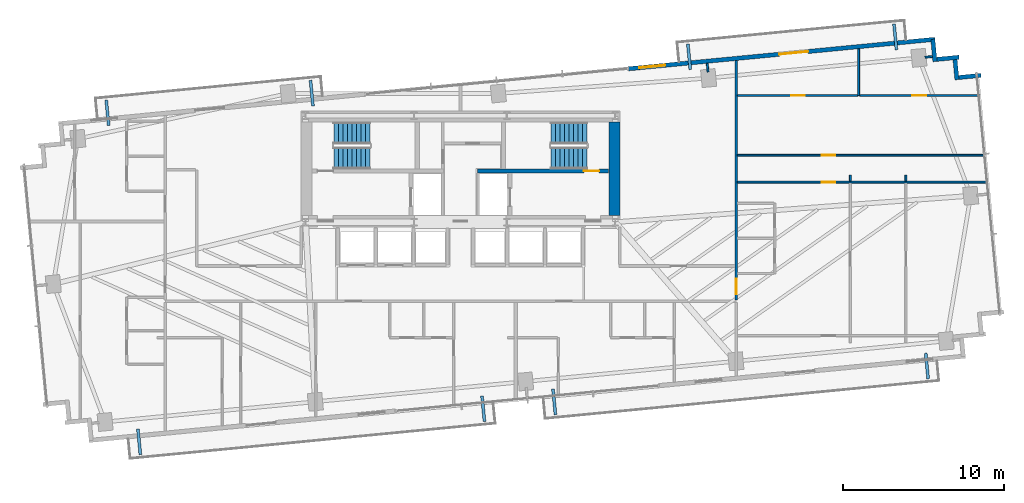
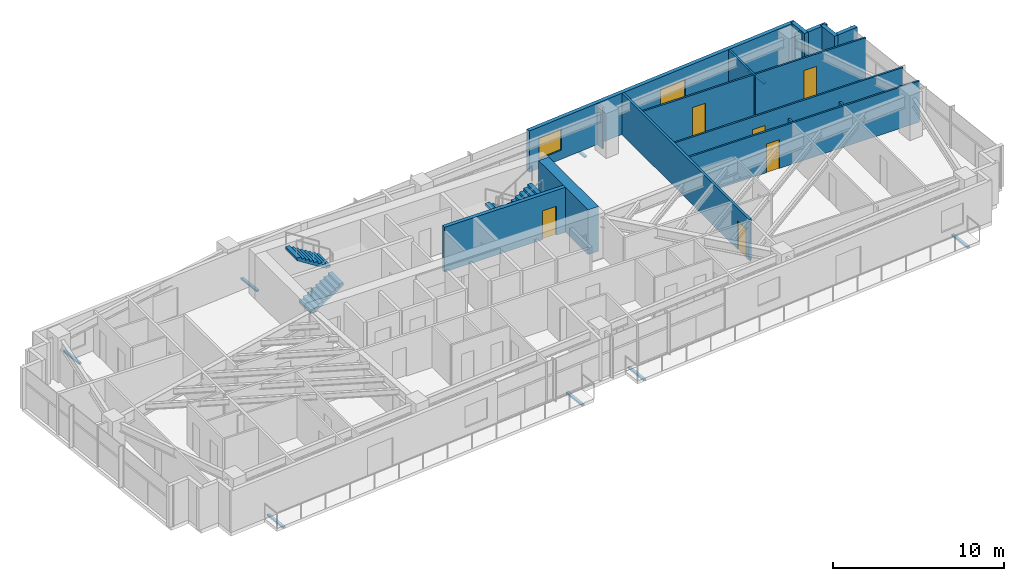
# One storey, part 24 of 27: 17 walls, 8 discrete accessories, 7 doors, 4 stair flights, 1 window, 8 openings, 2 elements without a shape of their own.
"""IFC4 building model written with IfcOpenShell, lengths in metres."""

from ifc_helpers import new_model, si_unit, direction, frame, frame_2d, origin, origin_2d, place, context, subcontext, project, spatial, polyline, rectangle, outline, extrude, source, transform, mapped, material, layer, layer_set, type_object, type_shapes, element, fill, aggregate, save


model = new_model("IFC4")

# Units and contexts
model_context = context("Model", 3, precision=1e-05, world=origin(), true_north=direction((0.0, 1.0)))
body_context = subcontext(model_context, "Body", "Model", "MODEL_VIEW")
ifc_project = project(units=[si_unit("LENGTHUNIT", "METRE"), si_unit("AREAUNIT", "SQUARE_METRE"), si_unit("VOLUMEUNIT", "CUBIC_METRE"), si_unit("PLANEANGLEUNIT", "RADIAN"), si_unit("MASSUNIT", "GRAM", prefix="KILO")], contexts=[model_context])

# Site, building, storey
site_placement = place(None, origin())
site = spatial("IfcSite", under=ifc_project, at=site_placement, CompositionType="ELEMENT")
building_placement = place(site_placement, origin())
building = spatial("IfcBuilding", under=site, at=building_placement, Name="Astriad Promenade Condominiums", CompositionType="ELEMENT")
storey_placement = place(building_placement, frame((0.0, 0.0, 90.60009765625)))
storey = spatial("IfcBuildingStorey", under=building, at=storey_placement, Name="L25", CompositionType="ELEMENT", Elevation=90.60009765625)

# Wall
ifc_material_1 = material(Name="Concrete C60/75", Category="concrete")
ifc_layer_1 = layer(ifc_material_1, 0.699951171875)
ifc_layer_set_1 = layer_set([ifc_layer_1], Name="Concrete C60/75")
wall_type_1 = type_object("IfcWallType", Name="CW-SHEAR-700", PredefinedType="SHEAR", material=ifc_layer_set_1)
wall_1_placement = place(storey_placement, frame((45.550048828125, 17.802001953125, 0.0), z_axis=(0.0, 0.0, 1.0), x_axis=(0.0, 1.0, 0.0)))
element("IfcWall", 1, at=wall_1_placement, inside=storey, type_object=wall_type_1, Name="CW-CORE-E-L25", PredefinedType="SHEAR", context=body_context, shape_type="SweptSolid", body=[
    extrude(rectangle(XDim=5.7958984375, YDim=0.699951171875, at=frame_2d((2.89794921875, 0.0))), origin(), (0.0, 0.0, 1.0), 3.199951171875),
])

# Wall, opening, door
ifc_material_2 = material(Name="Concrete C50/60", Category="concrete")
ifc_layer_2 = layer(ifc_material_2, 0.25)
ifc_layer_set_2 = layer_set([ifc_layer_2], Name="Concrete C50/60")
wall_type_2 = type_object("IfcWallType", Name="WALL-CORE-INT-250", PredefinedType="SOLIDWALL", material=ifc_layer_set_2)
wall_2_placement = place(storey_placement, frame((37.050048828125, 20.574951171875, 0.0), z_axis=(0.0, 0.0, 1.0), x_axis=(1.0, 0.0, 0.0)))
wall_2 = element("IfcWall", 2, at=wall_2_placement, inside=storey, type_object=wall_type_2, Name="CW-INT-H2-L25", PredefinedType="SOLIDWALL", context=body_context, shape_type="SweptSolid", body=[
    extrude(rectangle(XDim=8.14794921875, YDim=0.25, at=frame_2d((4.073974609375, 0.0))), origin(), (0.0, 0.0, 1.0), 3.199951171875),
])
opening_1_placement = place(wall_2_placement, frame((6.60009765625, 0.0, 0.0)))
opening_1 = element("IfcOpeningElement", 3, at=opening_1_placement, cuts=wall_2, Name="Opening FD90-ST-095", PredefinedType="OPENING", context=body_context, shape_type="SweptSolid", body=[
    extrude(rectangle(XDim=0.949951171875, YDim=2.06005859375, at=frame_2d((0.47509765625, 1.030029296875))), frame((0.0, 0.135009765625, 0.0), z_axis=(0.0, -1.0, 0.0), x_axis=(1.0, 0.0, 0.0)), (0.0, 0.0, 1.0), 0.27001953125),
])
ifc_material_3 = material(Name="Fire-Rated Hollow Metal Stair Door")
door_type_1 = type_object("IfcDoorType", Name="FD90-ST-095", OperationType="NOTDEFINED", PredefinedType="DOOR", material=ifc_material_3)
shared_shape_1 = source(origin(), body_context, "Body", "SweptSolid", [
    extrude(rectangle(XDim=0.949951171875, YDim=2.06005859375, at=frame_2d((0.47509765625, 1.030029296875))), frame((0.0, 0.02490234375, 0.0), z_axis=(0.0, -1.0, 0.0), x_axis=(1.0, 0.0, 0.0)), (0.0, 0.0, 1.0), 0.050048828125),
])
type_shapes(door_type_1, [shared_shape_1])
door_1_placement = place(opening_1_placement, origin())
door_1 = element("IfcDoor", 4, at=door_1_placement, inside=storey, type_object=door_type_1, Name="D-ST2-L25", OperationType="SINGLE_SWING_LEFT", OverallHeight=2.06005859375, OverallWidth=0.949951171875, PredefinedType="DOOR", context=body_context, shape_type="MappedRepresentation", body=[
    mapped(shared_shape_1, transform((0.0, 0.0, 0.0), scale=1.0)),
])
fill(opening_1, door_1)

ifc_material_4 = material(Name="Fire-Rated Gypsum Partition")
ifc_layer_3 = layer(ifc_material_4, 0.159912109375)
ifc_layer_set_3 = layer_set([ifc_layer_3], Name="Fire-Rated Gypsum Partition")
wall_type_3 = type_object("IfcWallType", Name="WALL-CORR-160", PredefinedType="PARTITIONING", material=ifc_layer_set_3)
wall_3_placement = place(storey_placement, frame((53.10009765625, 12.572021484375, 0.0), z_axis=(0.0, 0.0, 1.0), x_axis=(0.0, 1.0, 0.0)))
wall_3 = element("IfcWall", 5, at=wall_3_placement, inside=storey, type_object=wall_type_3, Name="PT-COR-E-L25-S2", PredefinedType="PARTITIONING", context=body_context, shape_type="SweptSolid", body=[
    extrude(rectangle(XDim=14.849365234375, YDim=0.159912109375, at=frame_2d((7.4248046875, 0.0))), origin(), (0.0, 0.0, 1.0), 2.93994140625),
])
opening_2_placement = place(wall_3_placement, frame((0.3701171875, 0.0, 0.0)))
opening_2 = element("IfcOpeningElement", 6, at=opening_2_placement, cuts=wall_3, Name="Opening FD60-APT-095", PredefinedType="OPENING", context=body_context, shape_type="SweptSolid", body=[
    extrude(rectangle(XDim=0.949951171875, YDim=2.06005859375, at=frame_2d((0.47509765625, 1.030029296875))), frame((0.0, 0.08984375, 0.0), z_axis=(0.0, -1.0, 0.0), x_axis=(1.0, 0.0, 0.0)), (0.0, 0.0, 1.0), 0.179931640625),
])
ifc_material_5 = material(Name="Solid-Core Acoustic Timber Residence Entry Door", Category="wood")
door_type_2 = type_object("IfcDoorType", Name="FD60-APT-095", OperationType="NOTDEFINED", PredefinedType="DOOR", material=ifc_material_5)
shared_shape_2 = source(origin(), body_context, "Body", "SweptSolid", [
    extrude(rectangle(XDim=0.949951171875, YDim=2.06005859375, at=frame_2d((0.47509765625, 1.030029296875))), frame((0.0, 0.02490234375, 0.0), z_axis=(0.0, -1.0, 0.0), x_axis=(1.0, 0.0, 0.0)), (0.0, 0.0, 1.0), 0.050048828125),
])
type_shapes(door_type_2, [shared_shape_2])
door_2_placement = place(opening_2_placement, origin())
door_2 = element("IfcDoor", 7, at=door_2_placement, inside=storey, type_object=door_type_2, Name="D-ENT-L25-E1", OperationType="SINGLE_SWING_RIGHT", OverallHeight=2.06005859375, OverallWidth=0.949951171875, PredefinedType="DOOR", context=body_context, shape_type="MappedRepresentation", body=[
    mapped(shared_shape_2, transform((0.0, 0.0, 0.0), scale=1.0)),
])
fill(opening_2, door_2)

# Wall, openings, door, window
ifc_material_6 = material(Name="Precast concrete C50/60", Category="concrete")
ifc_layer_4 = layer(ifc_material_6, 0.260009765625)
ifc_layer_set_4 = layer_set([ifc_layer_4], Name="Precast concrete C50/60")
wall_type_4 = type_object("IfcWallType", Name="WALL-EXT-TWR-260", PredefinedType="STANDARD", material=ifc_layer_set_4)
wall_4_placement = place(storey_placement, frame((46.40625, 26.90966796875, 0.0), z_axis=(0.0, 0.0, 1.0), x_axis=(0.995396638587, 0.095841180552, 0.0)))
wall_4 = element("IfcWall", 8, at=wall_4_placement, inside=storey, type_object=wall_type_4, Name="W-EXT-L25-N2", PredefinedType="STANDARD", context=body_context, shape_type="SweptSolid", body=[
    extrude(rectangle(XDim=19.110107421875, YDim=0.260009765625, at=frame_2d((9.55517578125, 0.0))), origin(), (0.0, 0.0, 1.0), 2.93994140625),
])
opening_3_placement = place(wall_4_placement, frame((9.39990234375, 0.0, 0.0)))
opening_3 = element("IfcOpeningElement", 9, at=opening_3_placement, cuts=wall_4, Name="Opening BD-1822-SLD", PredefinedType="OPENING", context=body_context, shape_type="SweptSolid", body=[
    extrude(rectangle(XDim=1.800048828125, YDim=2.06005859375, at=frame_2d((0.89990234375, 1.030029296875))), frame((0.0, 0.139892578125, 0.0), z_axis=(0.0, -1.0, 0.0), x_axis=(1.0, 0.0, 0.0)), (0.0, 0.0, 1.0), 0.280029296875),
])
opening_4_placement = place(wall_4_placement, frame((0.699951171875, 0.0, 0.64990234375)))
opening_4 = element("IfcOpeningElement", 10, at=opening_4_placement, cuts=wall_4, Name="Opening WIN-TWR-1620", PredefinedType="OPENING", context=body_context, shape_type="SweptSolid", body=[
    extrude(rectangle(XDim=1.60009765625, YDim=1.5, at=frame_2d((0.800048828125, 0.75))), frame((0.0, 0.139892578125, 0.0), z_axis=(0.0, -1.0, 0.0), x_axis=(1.0, 0.0, 0.0)), (0.0, 0.0, 1.0), 0.280029296875),
])
ifc_material_7 = material(Name="Thermally Broken Aluminium Sliding Balcony Door", Category="aluminium")
door_type_3 = type_object("IfcDoorType", Name="BD-1822-SLD", OperationType="NOTDEFINED", PredefinedType="DOOR", material=ifc_material_7)
shared_shape_3 = source(origin(), body_context, "Body", "SweptSolid", [
    extrude(rectangle(XDim=1.800048828125, YDim=2.06005859375, at=frame_2d((0.89990234375, 1.030029296875))), frame((0.0, 0.02490234375, 0.0), z_axis=(0.0, -1.0, 0.0), x_axis=(1.0, 0.0, 0.0)), (0.0, 0.0, 1.0), 0.050048828125),
])
type_shapes(door_type_3, [shared_shape_3])
door_3_placement = place(opening_3_placement, origin())
door_3 = element("IfcDoor", 11, at=door_3_placement, inside=storey, type_object=door_type_3, Name="BD-L25-NE", OperationType="SLIDING_TO_RIGHT", OverallHeight=2.06005859375, OverallWidth=1.800048828125, PredefinedType="DOOR", context=body_context, shape_type="MappedRepresentation", body=[
    mapped(shared_shape_3, transform((0.0, 0.0, 0.0), scale=1.0)),
])
fill(opening_3, door_3)
ifc_material_8 = material(Name="Dark Tinted Triple-Glazed Aluminium Window", Category="aluminium")
window_type = type_object("IfcWindowType", Name="WIN-TWR-1620", PartitioningType="SINGLE_PANEL", PredefinedType="WINDOW", material=ifc_material_8)
shared_shape_4 = source(origin(), body_context, "Body", "SweptSolid", [
    extrude(rectangle(XDim=1.60009765625, YDim=1.5, at=frame_2d((0.800048828125, 0.75))), frame((0.0, 0.030029296875, 0.0), z_axis=(0.0, -1.0, 0.0), x_axis=(1.0, 0.0, 0.0)), (0.0, 0.0, 1.0), 0.06005859375),
])
type_shapes(window_type, [shared_shape_4])
window_placement = place(opening_4_placement, origin())
window = element("IfcWindow", 12, at=window_placement, inside=storey, type_object=window_type, Name="WIN-L25-NE", OverallHeight=1.5, OverallWidth=1.60009765625, PartitioningType="SINGLE_PANEL", PredefinedType="WINDOW", context=body_context, shape_type="MappedRepresentation", body=[
    mapped(shared_shape_4, transform((0.0, 0.0, 0.0), scale=1.0)),
])
fill(opening_4, window)

# Walls
for number, where, z_axis, x_axis, name in (
    (13, (65.297607421875, 28.74365234375, 0.0), (0.0, 0.0, 1.0), (0.095725744959, -0.99540774648, 0.0), "W-SER-L25-09"),
    (14, (65.533203125, 27.49560546875, 0.0), (0.0, 0.0, 1.0), (0.99540774648, 0.095725744959, 0.0), "W-SER-L25-10"),
):
    element("IfcWall", number, at=place(storey_placement, frame(where, z_axis=z_axis, x_axis=x_axis)), inside=storey, type_object=wall_type_4, Name=name, PredefinedType="STANDARD", context=body_context, shape_type="SweptSolid", body=[
        extrude(rectangle(XDim=1.39501953125, YDim=0.260009765625, at=frame_2d((0.697509765625, 0.0))), origin(), (0.0, 0.0, 1.0), 2.93994140625),
    ])
wall_5_placement = place(storey_placement, frame((66.66162109375, 27.619140625, 0.0), z_axis=(0.0, 0.0, 1.0), x_axis=(0.095742423056, -0.99540614245, 0.0)))
element("IfcWall", 15, at=wall_5_placement, inside=storey, type_object=wall_type_4, Name="W-SER-L25-11", PredefinedType="STANDARD", context=body_context, shape_type="SweptSolid", body=[
    extrude(rectangle(XDim=1.394775390625, YDim=0.260009765625, at=frame_2d((0.697265625, 0.0))), origin(), (0.0, 0.0, 1.0), 2.93994140625),
])
wall_6_placement = place(storey_placement, frame((66.897216796875, 26.37109375, 0.0), z_axis=(0.0, 0.0, 1.0), x_axis=(0.995391056452, 0.09589913835, 0.0)))
element("IfcWall", 16, at=wall_6_placement, inside=storey, type_object=wall_type_4, Name="W-SER-L25-12", PredefinedType="STANDARD", context=body_context, shape_type="SweptSolid", body=[
    extrude(rectangle(XDim=1.39501953125, YDim=0.260009765625, at=frame_2d((0.697509765625, 0.0))), origin(), (0.0, 0.0, 1.0), 2.93994140625),
])
ifc_material_9 = material(Name="Acoustic Metal-Stud Gypsum Partition")
ifc_layer_5 = layer(ifc_material_9, 0.1201171875)
ifc_layer_set_5 = layer_set([ifc_layer_5], Name="Acoustic Metal-Stud Gypsum Partition")
wall_type_5 = type_object("IfcWallType", Name="WALL-PART-120", PredefinedType="PARTITIONING", material=ifc_layer_set_5)
wall_7_placement = place(storey_placement, frame((60.695068359375, 25.2548828125, 0.0), z_axis=(0.0, 0.0, 1.0), x_axis=(0.0, 1.0, 0.0)))
element("IfcWall", 17, at=wall_7_placement, inside=storey, type_object=wall_type_5, Name="PT-L25-E1-B1M", PredefinedType="PARTITIONING", context=body_context, shape_type="SweptSolid", body=[
    extrude(rectangle(XDim=2.89794921875, YDim=0.1201171875, at=frame_2d((1.448974609375, 0.0))), origin(), (0.0, 0.0, 1.0), 2.93994140625),
])

# Wall, opening, door
wall_8_placement = place(storey_placement, frame((53.181884765625, 25.2548828125, 0.0), z_axis=(0.0, 0.0, 1.0), x_axis=(1.0, 0.0, 0.0)))
wall_8 = element("IfcWall", 18, at=wall_8_placement, inside=storey, type_object=wall_type_5, Name="PT-L25-E1-B1", PredefinedType="PARTITIONING", context=body_context, shape_type="SweptSolid", body=[
    extrude(rectangle(XDim=7.451171875, YDim=0.1201171875, at=frame_2d((3.7255859375, 0.0))), origin(), (0.0, 0.0, 1.0), 2.93994140625),
])
opening_5_placement = place(wall_8_placement, frame((3.3310546875, 0.0, 0.0)))
opening_5 = element("IfcOpeningElement", 19, at=opening_5_placement, cuts=wall_8, Name="Opening D-INT-085", PredefinedType="OPENING", context=body_context, shape_type="SweptSolid", body=[
    extrude(rectangle(XDim=0.85009765625, YDim=2.050048828125, at=frame_2d((0.425048828125, 1.02490234375))), frame((0.0, 0.070068359375, 0.0), z_axis=(0.0, -1.0, 0.0), x_axis=(1.0, 0.0, 0.0)), (0.0, 0.0, 1.0), 0.14013671875),
])
ifc_material_10 = material(Name="Painted Solid-Core Timber Room Door", Category="wood")
door_type_4 = type_object("IfcDoorType", Name="D-INT-085", OperationType="NOTDEFINED", PredefinedType="DOOR", material=ifc_material_10)
shared_shape_5 = source(origin(), body_context, "Body", "SweptSolid", [
    extrude(rectangle(XDim=0.85009765625, YDim=2.050048828125, at=frame_2d((0.425048828125, 1.02490234375))), frame((0.0, 0.02490234375, 0.0), z_axis=(0.0, -1.0, 0.0), x_axis=(1.0, 0.0, 0.0)), (0.0, 0.0, 1.0), 0.050048828125),
])
type_shapes(door_type_4, [shared_shape_5])
door_4_placement = place(opening_5_placement, origin())
door_4 = element("IfcDoor", 20, at=door_4_placement, inside=storey, type_object=door_type_4, Name="D-BD1-L25-E1", OperationType="SINGLE_SWING_LEFT", OverallHeight=2.050048828125, OverallWidth=0.85009765625, PredefinedType="DOOR", context=body_context, shape_type="MappedRepresentation", body=[
    mapped(shared_shape_5, transform((0.0, 0.0, 0.0), scale=1.0)),
])
fill(opening_5, door_4)

wall_9_placement = place(storey_placement, frame((60.757080078125, 25.2548828125, 0.0), z_axis=(0.0, 0.0, 1.0), x_axis=(1.0, 0.0, 0.0)))
wall_9 = element("IfcWall", 21, at=wall_9_placement, inside=storey, type_object=wall_type_5, Name="PT-L25-E1-B1-S2", PredefinedType="PARTITIONING", context=body_context, shape_type="SweptSolid", body=[
    extrude(rectangle(XDim=7.438232421875, YDim=0.1201171875, at=frame_2d((3.71923828125, 0.0))), origin(), (0.0, 0.0, 1.0), 2.93994140625),
])
opening_6_placement = place(wall_9_placement, frame((3.27001953125, 0.0, 0.0)))
opening_6 = element("IfcOpeningElement", 22, at=opening_6_placement, cuts=wall_9, Name="Opening D-INT-085", PredefinedType="OPENING", context=body_context, shape_type="SweptSolid", body=[
    extrude(rectangle(XDim=0.85009765625, YDim=2.050048828125, at=frame_2d((0.425048828125, 1.02490234375))), frame((0.0, 0.070068359375, 0.0), z_axis=(0.0, -1.0, 0.0), x_axis=(1.0, 0.0, 0.0)), (0.0, 0.0, 1.0), 0.14013671875),
])
door_5_placement = place(opening_6_placement, origin())
door_5 = element("IfcDoor", 23, at=door_5_placement, inside=storey, type_object=door_type_4, Name="D-BD1B-L25-E1", OperationType="SINGLE_SWING_RIGHT", OverallHeight=2.050048828125, OverallWidth=0.85009765625, PredefinedType="DOOR", context=body_context, shape_type="MappedRepresentation", body=[
    mapped(shared_shape_5, transform((0.0, 0.0, 0.0), scale=1.0)),
])
fill(opening_6, door_5)

wall_10_placement = place(storey_placement, frame((53.181884765625, 21.550048828125, 0.0), z_axis=(0.0, 0.0, 1.0), x_axis=(1.0, 0.0, 0.0)))
wall_10 = element("IfcWall", 24, at=wall_10_placement, inside=storey, type_object=wall_type_5, Name="PT-L25-E1-WDN1", PredefinedType="PARTITIONING", context=body_context, shape_type="SweptSolid", body=[
    extrude(rectangle(XDim=15.3701171875, YDim=0.1201171875, at=frame_2d((7.68505859375, 0.0))), origin(), (0.0, 0.0, 1.0), 2.93994140625),
])
opening_7_placement = place(wall_10_placement, frame((5.222900390625, 0.0, 0.0)))
opening_7 = element("IfcOpeningElement", 25, at=opening_7_placement, cuts=wall_10, Name="Opening D-INT-085", PredefinedType="OPENING", context=body_context, shape_type="SweptSolid", body=[
    extrude(rectangle(XDim=0.85009765625, YDim=2.050048828125, at=frame_2d((0.425048828125, 1.02490234375))), frame((0.0, 0.070068359375, 0.0), z_axis=(0.0, -1.0, 0.0), x_axis=(1.0, 0.0, 0.0)), (0.0, 0.0, 1.0), 0.14013671875),
])
door_6_placement = place(opening_7_placement, origin())
door_6 = element("IfcDoor", 26, at=door_6_placement, inside=storey, type_object=door_type_4, Name="D-WDN1-L25-E1", OperationType="SINGLE_SWING_LEFT", OverallHeight=2.050048828125, OverallWidth=0.85009765625, PredefinedType="DOOR", context=body_context, shape_type="MappedRepresentation", body=[
    mapped(shared_shape_5, transform((0.0, 0.0, 0.0), scale=1.0)),
])
fill(opening_7, door_6)

wall_11_placement = place(storey_placement, frame((53.181884765625, 19.882080078125, 0.0), z_axis=(0.0, 0.0, 1.0), x_axis=(1.0, 0.0, 0.0)))
wall_11 = element("IfcWall", 27, at=wall_11_placement, inside=storey, type_object=wall_type_5, Name="PT-L25-E1-WDN3", PredefinedType="PARTITIONING", context=body_context, shape_type="SweptSolid", body=[
    extrude(rectangle(XDim=15.530517578125, YDim=0.1201171875, at=frame_2d((7.76513671875, 0.0))), origin(), (0.0, 0.0, 1.0), 2.93994140625),
])
opening_8_placement = place(wall_11_placement, frame((5.222900390625, 0.0, 0.0)))
opening_8 = element("IfcOpeningElement", 28, at=opening_8_placement, cuts=wall_11, Name="Opening D-INT-085", PredefinedType="OPENING", context=body_context, shape_type="SweptSolid", body=[
    extrude(rectangle(XDim=0.85009765625, YDim=2.050048828125, at=frame_2d((0.425048828125, 1.02490234375))), frame((0.0, 0.070068359375, 0.0), z_axis=(0.0, -1.0, 0.0), x_axis=(1.0, 0.0, 0.0)), (0.0, 0.0, 1.0), 0.14013671875),
])
door_7_placement = place(opening_8_placement, origin())
door_7 = element("IfcDoor", 29, at=door_7_placement, inside=storey, type_object=door_type_4, Name="D-WDN3-L25-E1", OperationType="SINGLE_SWING_LEFT", OverallHeight=2.050048828125, OverallWidth=0.85009765625, PredefinedType="DOOR", context=body_context, shape_type="MappedRepresentation", body=[
    mapped(shared_shape_5, transform((0.0, 0.0, 0.0), scale=1.0)),
])
fill(opening_8, door_7)

# Walls
for number, where, z_axis, x_axis, name in (
    (30, (63.62890625, 19.944091796875, 0.0), (0.0, 0.0, 1.0), (0.0, 1.0, 0.0), "PT-L25-E1-WDV4-S3"),
    (31, (60.179931640625, 19.944091796875, 0.0), (0.0, 0.0, 1.0), (0.0, 1.0, 0.0), "PT-L25-E1-WDV5-S3"),
):
    element("IfcWall", number, at=place(storey_placement, frame(where, z_axis=z_axis, x_axis=x_axis)), inside=storey, type_object=wall_type_5, Name=name, PredefinedType="PARTITIONING", context=body_context, shape_type="SweptSolid", body=[
        extrude(rectangle(XDim=0.3779296875, YDim=0.1201171875, at=frame_2d((0.18896484375, 0.0))), origin(), (0.0, 0.0, 1.0), 2.93994140625),
    ])
wall_12_placement = place(storey_placement, frame((51.35791015625, 26.71337890625, 0.0), z_axis=(0.0, 0.0, 1.0), x_axis=(-0.095772948675, 0.995403205893, 0.0)))
element("IfcWall", 32, at=wall_12_placement, inside=storey, type_object=wall_type_5, Name="PT-PIL-L25-PC09-16", PredefinedType="PARTITIONING", context=body_context, shape_type="SweptSolid", body=[
    extrude(rectangle(XDim=0.537841796875, YDim=0.1201171875, at=frame_2d((0.26904296875, 0.0))), origin(), (0.0, 0.0, 1.0), 2.93994140625),
])
wall_13_placement = place(storey_placement, frame((64.812255859375, 27.626953125, 0.0), z_axis=(0.0, 0.0, 1.0), x_axis=(0.995389482415, 0.095915474751, 0.0)))
element("IfcWall", 33, at=wall_13_placement, inside=storey, type_object=wall_type_5, Name="PT-PIL-L25-PC10-17", PredefinedType="PARTITIONING", context=body_context, shape_type="SweptSolid", body=[
    extrude(rectangle(XDim=0.458251953125, YDim=0.1201171875, at=frame_2d((0.22900390625, 0.0))), origin(), (0.0, 0.0, 1.0), 2.93994140625),
])

# Stair, stair flights
stair_type = type_object("IfcStairType", Name="STR-CORE-1350", PredefinedType="HALF_TURN_STAIR", material=ifc_material_2)
stair_1_placement = place(storey_placement, origin())
stair_1 = element("IfcStair", 34, at=stair_1_placement, inside=storey, type_object=stair_type, Name="L25 Enclosed Core Exit Stair ST-1", PredefinedType="HALF_TURN_STAIR")
stair_flight_type = type_object("IfcStairFlightType", Name="SFL-CORE-1350", PredefinedType="STRAIGHT", material=ifc_material_2)
shared_shape_6 = source(origin(), body_context, "Body", "SweptSolid", [
    extrude(outline(polyline([(0.0, 0.0), (0.0, 0.177734375), (0.280029296875, 0.177734375), (0.280029296875, 0.35546875), (0.56005859375, 0.35546875), (0.56005859375, 0.533447265625), (0.840087890625, 0.533447265625), (0.840087890625, 0.711181640625), (1.1201171875, 0.711181640625), (1.1201171875, 0.888916015625), (1.39990234375, 0.888916015625), (1.39990234375, 1.066650390625), (1.679931640625, 1.066650390625), (1.679931640625, 1.244384765625), (1.9599609375, 1.244384765625), (1.9599609375, 1.422119140625), (2.239990234375, 1.422119140625), (2.239990234375, 1.60009765625), (2.239990234375, 1.24462890625), (0.27978515625, 0.0), (0.0, 0.0)])), frame((0.0, 0.675048828125, 0.0), z_axis=(0.0, -1.0, 0.0), x_axis=(1.0, 0.0, 0.0)), (0.0, 0.0, 1.0), 1.35009765625),
])
type_shapes(stair_flight_type, [shared_shape_6])
stair_flight_1_placement = place(storey_placement, frame((28.14990234375, 21.375, 0.0), z_axis=(0.0, 0.0, 1.0), x_axis=(1.0, 0.0, 0.0)))
stair_flight_1 = element("IfcStairFlight", 35, at=stair_flight_1_placement, type_object=stair_flight_type, Name="ST-1 flight 1", NumberOfRisers=9, NumberOfTreads=8, PredefinedType="STRAIGHT", RiserHeight=0.177777778, TreadLength=0.28, context=body_context, shape_type="MappedRepresentation", body=[
    mapped(shared_shape_6, transform((0.0, 0.0, 0.0), scale=1.0)),
])
stair_flight_2_placement = place(storey_placement, frame((30.389892578125, 22.925048828125, 1.599853515625), z_axis=(0.0, 0.0, 1.0), x_axis=(-1.0, 0.0, 0.0)))
stair_flight_2 = element("IfcStairFlight", 36, at=stair_flight_2_placement, type_object=stair_flight_type, Name="ST-1 flight 2", NumberOfRisers=9, NumberOfTreads=8, PredefinedType="STRAIGHT", RiserHeight=0.177777778, TreadLength=0.28, context=body_context, shape_type="MappedRepresentation", body=[
    mapped(shared_shape_6, transform((0.0, 0.0, 0.0), scale=1.0)),
])
aggregate(stair_1, [stair_flight_1, stair_flight_2])

stair_2_placement = place(storey_placement, origin())
stair_2 = element("IfcStair", 37, at=stair_2_placement, inside=storey, type_object=stair_type, Name="L25 Enclosed Core Exit Stair ST-2", PredefinedType="HALF_TURN_STAIR")
stair_flight_3_placement = place(storey_placement, frame((43.85009765625, 22.925048828125, 0.0), z_axis=(0.0, 0.0, 1.0), x_axis=(-1.0, 0.0, 0.0)))
stair_flight_3 = element("IfcStairFlight", 38, at=stair_flight_3_placement, type_object=stair_flight_type, Name="ST-2 flight 1", NumberOfRisers=9, NumberOfTreads=8, PredefinedType="STRAIGHT", RiserHeight=0.177777778, TreadLength=0.28, context=body_context, shape_type="MappedRepresentation", body=[
    mapped(shared_shape_6, transform((0.0, 0.0, 0.0), scale=1.0)),
])
stair_flight_4_placement = place(storey_placement, frame((41.610107421875, 21.375, 1.599853515625), z_axis=(0.0, 0.0, 1.0), x_axis=(1.0, 0.0, 0.0)))
stair_flight_4 = element("IfcStairFlight", 39, at=stair_flight_4_placement, type_object=stair_flight_type, Name="ST-2 flight 2", NumberOfRisers=9, NumberOfTreads=8, PredefinedType="STRAIGHT", RiserHeight=0.177777778, TreadLength=0.28, context=body_context, shape_type="MappedRepresentation", body=[
    mapped(shared_shape_6, transform((0.0, 0.0, 0.0), scale=1.0)),
])
aggregate(stair_2, [stair_flight_3, stair_flight_4])

# Discrete accessories
ifc_material_11 = material(Name="Steel ASTM A572 Grade 50", Category="steel")
discrete_accessory_type = type_object("IfcDiscreteAccessoryType", Name="STEEL BALCONY OUTRIGGER BRACKET", PredefinedType="BRACKET", material=ifc_material_11)
shared_shape_7 = source(origin(), body_context, "Body", "SweptSolid", [
    extrude(rectangle(XDim=1.60009765625, YDim=0.179931640625, at=origin_2d()), origin(), (0.0, 0.0, 1.0), 0.1220703125),
])
type_shapes(discrete_accessory_type, [shared_shape_7])
for number, where, z_axis, x_axis, name in (
    (40, (16.077880859375, 3.776123046875, -0.340087890625), (0.0, 0.0, 1.0), (0.09584575252, -0.995396198367, 0.0), "Balcony Outrigger Bracket BAL-L25-SW-A"),
    (41, (37.417236328125, 5.830810546875, -0.340087890625), (0.0, 0.0, 1.0), (0.09584575252, -0.995396198367, 0.0), "Balcony Outrigger Bracket BAL-L25-SW-B"),
    (42, (41.81884765625, 6.2548828125, -0.340087890625), (0.0, 0.0, 1.0), (0.09584575252, -0.995396198367, 0.0), "Balcony Outrigger Bracket BAL-L25-SE-A"),
    (43, (64.931884765625, 8.480224609375, -0.340087890625), (0.0, 0.0, 1.0), (0.09584575252, -0.995396198367, 0.0), "Balcony Outrigger Bracket BAL-L25-SE-B"),
    (44, (14.113037109375, 24.181884765625, -0.340087890625), (0.0, 0.0, 1.0), (-0.09584575252, 0.995396198367, 0.0), "Balcony Outrigger Bracket BAL-L25-NW-A"),
    (45, (26.780517578125, 25.401611328125, -0.340087890625), (0.0, 0.0, 1.0), (-0.09584575252, 0.995396198367, 0.0), "Balcony Outrigger Bracket BAL-L25-NW-B"),
    (46, (50.18212890625, 27.65478515625, -0.340087890625), (0.0, 0.0, 1.0), (-0.09584575252, 0.995396198367, 0.0), "Balcony Outrigger Bracket BAL-L25-NE-A"),
    (47, (62.967041015625, 28.885986328125, -0.340087890625), (0.0, 0.0, 1.0), (-0.09584575252, 0.995396198367, 0.0), "Balcony Outrigger Bracket BAL-L25-NE-B"),
):
    element("IfcDiscreteAccessory", number, at=place(storey_placement, frame(where, z_axis=z_axis, x_axis=x_axis)), inside=storey, type_object=discrete_accessory_type, Name=name, PredefinedType="BRACKET", context=body_context, shape_type="MappedRepresentation", body=[
        mapped(shared_shape_7, transform((0.0, 0.0, 0.0), scale=1.0)),
    ])

save(model, "model.ifc")
